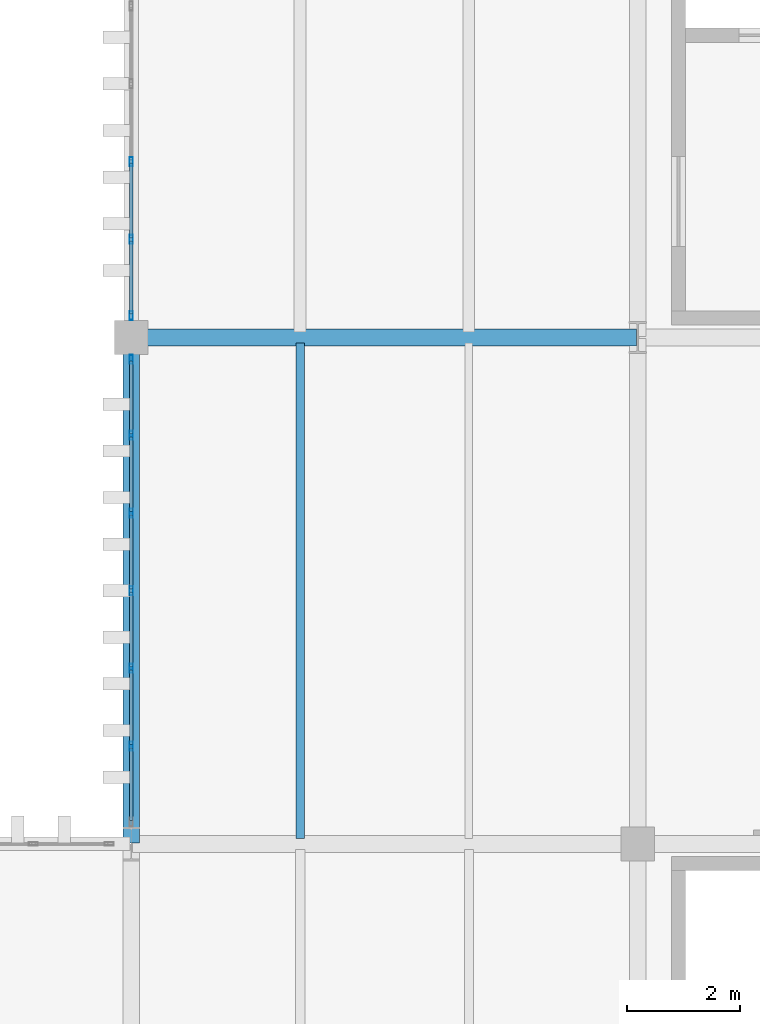
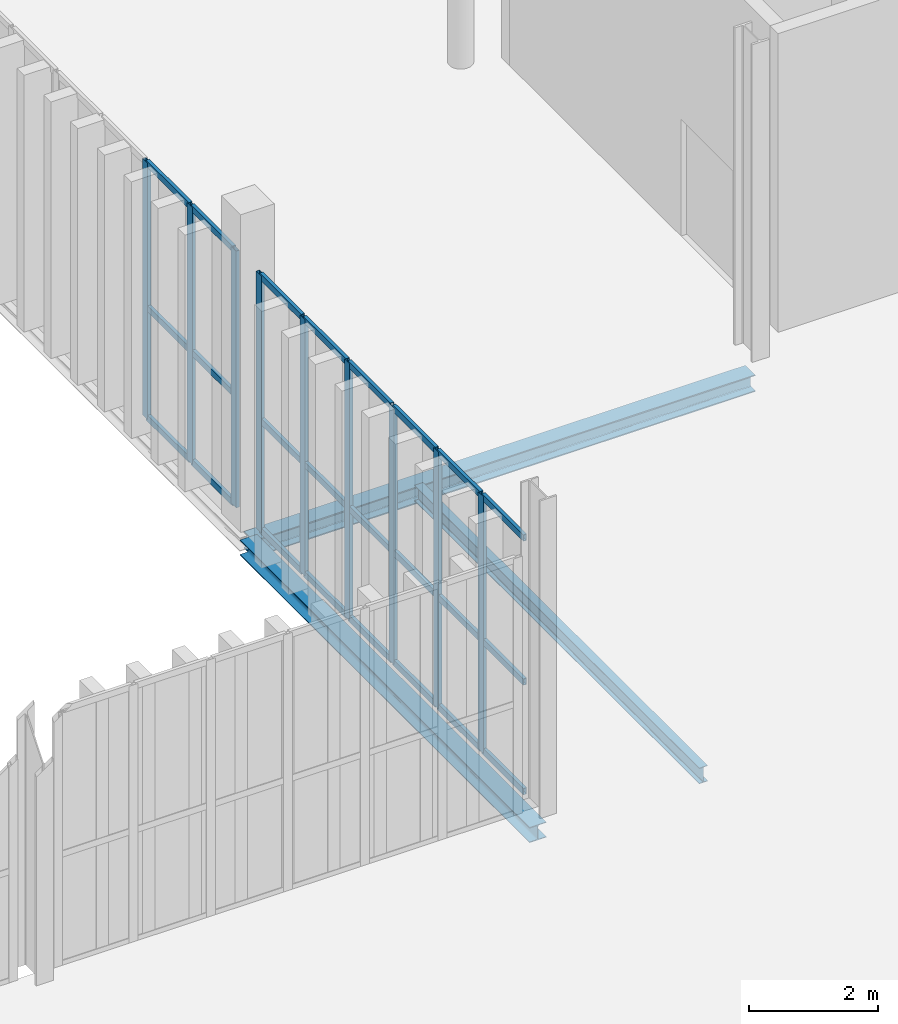
# One storey, part 143 of 237: 33 members, 3 beams, 2 elements without a shape of their own.
"""IFC4 building model written with IfcOpenShell, lengths in metres."""

from ifc_helpers import new_model, si_unit, direction, frame, origin, origin_2d, place, context, subcontext, project, spatial, hollow_rectangle, i_section, extrude, material, layer, layer_set, material_profile, profile_set, type_object, element, aggregate, save


model = new_model("IFC4")

# Units and contexts
model_context = context("Model", 3, precision=1e-05, world=origin(), true_north=direction((0.0, 1.0)))
body_context = subcontext(model_context, "Body", "Model", "MODEL_VIEW")
ifc_project = project(units=[si_unit("LENGTHUNIT", "METRE"), si_unit("AREAUNIT", "SQUARE_METRE"), si_unit("VOLUMEUNIT", "CUBIC_METRE"), si_unit("PLANEANGLEUNIT", "RADIAN"), si_unit("MASSUNIT", "GRAM", prefix="KILO")], contexts=[model_context])

# Site, building, storey
site_placement = place(None, origin())
site = spatial("IfcSite", under=ifc_project, at=site_placement, CompositionType="ELEMENT")
building_placement = place(site_placement, origin())
building = spatial("IfcBuilding", under=site, at=building_placement, Name="Barlavento Convention Centre", CompositionType="ELEMENT")
storey_placement = place(building_placement, frame((0.0, 0.0, 12.0)))
storey = spatial("IfcBuildingStorey", under=building, at=storey_placement, Name="L02", CompositionType="ELEMENT", Elevation=12.0)

# Curtain wall, members
ifc_material_1 = material(Name="Powder-coated aluminium and Low-E glass", Category="aluminium")
ifc_layer = layer(ifc_material_1, 0.195068359375)
ifc_layer_set = layer_set([ifc_layer], Name="ARC-CW-PATIO-A")
curtain_wall_type = type_object("IfcCurtainWallType", Name="ARC-CW-PATIO-A", PredefinedType="NOTDEFINED", material=ifc_layer_set)
curtain_wall_1_placement = place(storey_placement, origin())
curtain_wall_1 = element("IfcCurtainWall", 1, at=curtain_wall_1_placement, inside=storey, type_object=curtain_wall_type, Name="L02 unitised curtain wall CW11", PredefinedType="NOTDEFINED")
ifc_material_2 = material(Name="Powder-coated aluminium", Category="aluminium")
ifc_material_profile_1 = material_profile(ifc_material_2, hollow_rectangle(XDim=0.06005859375, YDim=0.159912109375, WallThickness=0.00390625, at=origin_2d()), Name="AL-MULL 60x160x4")
ifc_profile_set_1 = profile_set([ifc_material_profile_1], Name="Powder-coated aluminium")
member_type_1 = type_object("IfcMemberType", Name="ARC-CWM-60X160", PredefinedType="MULLION", material=ifc_profile_set_1)
member_1_placement = place(storey_placement, frame((171.0, 64.739990234375, 0.0), z_axis=(0.0, 0.0, 1.0), x_axis=(-1.0, 0.0, 0.0)))
member_1 = element("IfcMember", 2, at=member_1_placement, type_object=member_type_1, Name="CW11 mullion 2", PredefinedType="MULLION", context=body_context, shape_type="SweptSolid", body=[
    extrude(hollow_rectangle(XDim=0.06005859375, YDim=0.159912109375, WallThickness=0.00390625, at=origin_2d()), origin(), (0.0, 0.0, 1.0), 4.85009765625),
])
member_2_placement = place(storey_placement, frame((171.0, 66.1201171875, 0.0), z_axis=(0.0, 0.0, 1.0), x_axis=(-1.0, 0.0, 0.0)))
member_2 = element("IfcMember", 3, at=member_2_placement, type_object=member_type_1, Name="CW11 mullion 3", PredefinedType="MULLION", context=body_context, shape_type="SweptSolid", body=[
    extrude(hollow_rectangle(XDim=0.06005859375, YDim=0.159912109375, WallThickness=0.00390625, at=origin_2d()), origin(), (0.0, 0.0, 1.0), 4.85009765625),
])
member_3_placement = place(storey_placement, frame((171.0, 67.5, 0.0), z_axis=(0.0, 0.0, 1.0), x_axis=(-1.0, 0.0, 0.0)))
member_3 = element("IfcMember", 4, at=member_3_placement, type_object=member_type_1, Name="CW11 mullion 4", PredefinedType="MULLION", context=body_context, shape_type="SweptSolid", body=[
    extrude(hollow_rectangle(XDim=0.06005859375, YDim=0.159912109375, WallThickness=0.00390625, at=origin_2d()), origin(), (0.0, 0.0, 1.0), 4.85009765625),
])
member_4_placement = place(storey_placement, frame((171.0, 68.8798828125, 0.0), z_axis=(0.0, 0.0, 1.0), x_axis=(-1.0, 0.0, 0.0)))
member_4 = element("IfcMember", 5, at=member_4_placement, type_object=member_type_1, Name="CW11 mullion 5", PredefinedType="MULLION", context=body_context, shape_type="SweptSolid", body=[
    extrude(hollow_rectangle(XDim=0.06005859375, YDim=0.159912109375, WallThickness=0.00390625, at=origin_2d()), origin(), (0.0, 0.0, 1.0), 4.85009765625),
])
member_5_placement = place(storey_placement, frame((171.0, 70.260009765625, 0.0), z_axis=(0.0, 0.0, 1.0), x_axis=(-1.0, 0.0, 0.0)))
member_5 = element("IfcMember", 6, at=member_5_placement, type_object=member_type_1, Name="CW11 mullion 6", PredefinedType="MULLION", context=body_context, shape_type="SweptSolid", body=[
    extrude(hollow_rectangle(XDim=0.06005859375, YDim=0.159912109375, WallThickness=0.00390625, at=origin_2d()), origin(), (0.0, 0.0, 1.0), 4.85009765625),
])
member_6_placement = place(storey_placement, frame((171.0, 71.610107421875, 0.0), z_axis=(0.0, 0.0, 1.0), x_axis=(-1.0, 0.0, 0.0)))
member_6 = element("IfcMember", 7, at=member_6_placement, type_object=member_type_1, Name="CW11 mullion 7", PredefinedType="MULLION", context=body_context, shape_type="SweptSolid", body=[
    extrude(hollow_rectangle(XDim=0.06005859375, YDim=0.159912109375, WallThickness=0.00390625, at=origin_2d()), origin(), (0.0, 0.0, 1.0), 4.85009765625),
])

curtain_wall_2_placement = place(storey_placement, origin())
curtain_wall_2 = element("IfcCurtainWall", 8, at=curtain_wall_2_placement, inside=storey, type_object=curtain_wall_type, Name="L02 unitised curtain wall CW11", PredefinedType="NOTDEFINED")
member_7_placement = place(storey_placement, frame((171.0, 72.389892578125, 0.0), z_axis=(0.0, 0.0, 1.0), x_axis=(-1.0, 0.0, 0.0)))
member_7 = element("IfcMember", 9, at=member_7_placement, type_object=member_type_1, Name="CW11 mullion 1", PredefinedType="MULLION", context=body_context, shape_type="SweptSolid", body=[
    extrude(hollow_rectangle(XDim=0.06005859375, YDim=0.159912109375, WallThickness=0.00390625, at=origin_2d()), origin(), (0.0, 0.0, 1.0), 4.85009765625),
])
member_8_placement = place(storey_placement, frame((171.0, 73.742431640625, 0.0), z_axis=(0.0, 0.0, 1.0), x_axis=(-1.0, 0.0, 0.0)))
member_8 = element("IfcMember", 10, at=member_8_placement, type_object=member_type_1, Name="CW11 mullion 2", PredefinedType="MULLION", context=body_context, shape_type="SweptSolid", body=[
    extrude(hollow_rectangle(XDim=0.06005859375, YDim=0.159912109375, WallThickness=0.00390625, at=origin_2d()), origin(), (0.0, 0.0, 1.0), 4.85009765625),
])
member_9_placement = place(storey_placement, frame((171.0, 75.124755859375, 0.0), z_axis=(0.0, 0.0, 1.0), x_axis=(-1.0, 0.0, 0.0)))
member_9 = element("IfcMember", 11, at=member_9_placement, type_object=member_type_1, Name="CW11 mullion 3", PredefinedType="MULLION", context=body_context, shape_type="SweptSolid", body=[
    extrude(hollow_rectangle(XDim=0.06005859375, YDim=0.159912109375, WallThickness=0.00390625, at=origin_2d()), origin(), (0.0, 0.0, 1.0), 4.85009765625),
])

# Member
ifc_material_profile_2 = material_profile(ifc_material_2, hollow_rectangle(XDim=0.06005859375, YDim=0.1201171875, WallThickness=0.00390625, at=origin_2d()), Name="AL-TRAN 60x120x4")
ifc_profile_set_2 = profile_set([ifc_material_profile_2], Name="Powder-coated aluminium")
member_type_2 = type_object("IfcMemberType", Name="ARC-CWT-60X120", PredefinedType="USERDEFINED", material=ifc_profile_set_2)
member_10_placement = place(storey_placement, frame((171.0, 63.419921875, 0.030029296875), z_axis=(0.0, 1.0, 0.0), x_axis=(-1.0, 0.0, 0.0)))
member_10 = element("IfcMember", 12, at=member_10_placement, type_object=member_type_2, Name="CW11 transom 1.1", ObjectType="TRANSOM", PredefinedType="USERDEFINED", context=body_context, shape_type="SweptSolid", body=[
    extrude(hollow_rectangle(XDim=0.06005859375, YDim=0.1201171875, WallThickness=0.00390625, at=origin_2d()), origin(), (0.0, 0.0, 1.0), 1.2900390625),
])

member_11_placement = place(storey_placement, frame((171.0, 63.419921875, 2.10009765625), z_axis=(0.0, 1.0, 0.0), x_axis=(-1.0, 0.0, 0.0)))
member_11 = element("IfcMember", 13, at=member_11_placement, type_object=member_type_2, Name="CW11 transom 1.2", ObjectType="TRANSOM", PredefinedType="USERDEFINED", context=body_context, shape_type="SweptSolid", body=[
    extrude(hollow_rectangle(XDim=0.06005859375, YDim=0.1201171875, WallThickness=0.00390625, at=origin_2d()), origin(), (0.0, 0.0, 1.0), 1.2900390625),
])

member_12_placement = place(storey_placement, frame((171.0, 63.419921875, 4.820068359375), z_axis=(0.0, 1.0, 0.0), x_axis=(-1.0, 0.0, 0.0)))
member_12 = element("IfcMember", 14, at=member_12_placement, type_object=member_type_2, Name="CW11 transom 1.3", ObjectType="TRANSOM", PredefinedType="USERDEFINED", context=body_context, shape_type="SweptSolid", body=[
    extrude(hollow_rectangle(XDim=0.06005859375, YDim=0.1201171875, WallThickness=0.00390625, at=origin_2d()), origin(), (0.0, 0.0, 1.0), 1.2900390625),
])

member_13_placement = place(storey_placement, frame((171.0, 64.77001953125, 0.030029296875), z_axis=(0.0, 1.0, 0.0), x_axis=(-1.0, 0.0, 0.0)))
member_13 = element("IfcMember", 15, at=member_13_placement, type_object=member_type_2, Name="CW11 transom 2.1", ObjectType="TRANSOM", PredefinedType="USERDEFINED", context=body_context, shape_type="SweptSolid", body=[
    extrude(hollow_rectangle(XDim=0.06005859375, YDim=0.1201171875, WallThickness=0.00390625, at=origin_2d()), origin(), (0.0, 0.0, 1.0), 1.320068359375),
])

member_14_placement = place(storey_placement, frame((171.0, 64.77001953125, 2.10009765625), z_axis=(0.0, 1.0, 0.0), x_axis=(-1.0, 0.0, 0.0)))
member_14 = element("IfcMember", 16, at=member_14_placement, type_object=member_type_2, Name="CW11 transom 2.2", ObjectType="TRANSOM", PredefinedType="USERDEFINED", context=body_context, shape_type="SweptSolid", body=[
    extrude(hollow_rectangle(XDim=0.06005859375, YDim=0.1201171875, WallThickness=0.00390625, at=origin_2d()), origin(), (0.0, 0.0, 1.0), 1.320068359375),
])

member_15_placement = place(storey_placement, frame((171.0, 64.77001953125, 4.820068359375), z_axis=(0.0, 1.0, 0.0), x_axis=(-1.0, 0.0, 0.0)))
member_15 = element("IfcMember", 17, at=member_15_placement, type_object=member_type_2, Name="CW11 transom 2.3", ObjectType="TRANSOM", PredefinedType="USERDEFINED", context=body_context, shape_type="SweptSolid", body=[
    extrude(hollow_rectangle(XDim=0.06005859375, YDim=0.1201171875, WallThickness=0.00390625, at=origin_2d()), origin(), (0.0, 0.0, 1.0), 1.320068359375),
])

member_16_placement = place(storey_placement, frame((171.0, 66.14990234375, 0.030029296875), z_axis=(0.0, 1.0, 0.0), x_axis=(-1.0, 0.0, 0.0)))
member_16 = element("IfcMember", 18, at=member_16_placement, type_object=member_type_2, Name="CW11 transom 3.1", ObjectType="TRANSOM", PredefinedType="USERDEFINED", context=body_context, shape_type="SweptSolid", body=[
    extrude(hollow_rectangle(XDim=0.06005859375, YDim=0.1201171875, WallThickness=0.00390625, at=origin_2d()), origin(), (0.0, 0.0, 1.0), 1.320068359375),
])

member_17_placement = place(storey_placement, frame((171.0, 66.14990234375, 2.10009765625), z_axis=(0.0, 1.0, 0.0), x_axis=(-1.0, 0.0, 0.0)))
member_17 = element("IfcMember", 19, at=member_17_placement, type_object=member_type_2, Name="CW11 transom 3.2", ObjectType="TRANSOM", PredefinedType="USERDEFINED", context=body_context, shape_type="SweptSolid", body=[
    extrude(hollow_rectangle(XDim=0.06005859375, YDim=0.1201171875, WallThickness=0.00390625, at=origin_2d()), origin(), (0.0, 0.0, 1.0), 1.320068359375),
])

member_18_placement = place(storey_placement, frame((171.0, 66.14990234375, 4.820068359375), z_axis=(0.0, 1.0, 0.0), x_axis=(-1.0, 0.0, 0.0)))
member_18 = element("IfcMember", 20, at=member_18_placement, type_object=member_type_2, Name="CW11 transom 3.3", ObjectType="TRANSOM", PredefinedType="USERDEFINED", context=body_context, shape_type="SweptSolid", body=[
    extrude(hollow_rectangle(XDim=0.06005859375, YDim=0.1201171875, WallThickness=0.00390625, at=origin_2d()), origin(), (0.0, 0.0, 1.0), 1.320068359375),
])

member_19_placement = place(storey_placement, frame((171.0, 67.530029296875, 0.030029296875), z_axis=(0.0, 1.0, 0.0), x_axis=(-1.0, 0.0, 0.0)))
member_19 = element("IfcMember", 21, at=member_19_placement, type_object=member_type_2, Name="CW11 transom 4.1", ObjectType="TRANSOM", PredefinedType="USERDEFINED", context=body_context, shape_type="SweptSolid", body=[
    extrude(hollow_rectangle(XDim=0.06005859375, YDim=0.1201171875, WallThickness=0.00390625, at=origin_2d()), origin(), (0.0, 0.0, 1.0), 1.320068359375),
])

member_20_placement = place(storey_placement, frame((171.0, 67.530029296875, 2.10009765625), z_axis=(0.0, 1.0, 0.0), x_axis=(-1.0, 0.0, 0.0)))
member_20 = element("IfcMember", 22, at=member_20_placement, type_object=member_type_2, Name="CW11 transom 4.2", ObjectType="TRANSOM", PredefinedType="USERDEFINED", context=body_context, shape_type="SweptSolid", body=[
    extrude(hollow_rectangle(XDim=0.06005859375, YDim=0.1201171875, WallThickness=0.00390625, at=origin_2d()), origin(), (0.0, 0.0, 1.0), 1.320068359375),
])

member_21_placement = place(storey_placement, frame((171.0, 67.530029296875, 4.820068359375), z_axis=(0.0, 1.0, 0.0), x_axis=(-1.0, 0.0, 0.0)))
member_21 = element("IfcMember", 23, at=member_21_placement, type_object=member_type_2, Name="CW11 transom 4.3", ObjectType="TRANSOM", PredefinedType="USERDEFINED", context=body_context, shape_type="SweptSolid", body=[
    extrude(hollow_rectangle(XDim=0.06005859375, YDim=0.1201171875, WallThickness=0.00390625, at=origin_2d()), origin(), (0.0, 0.0, 1.0), 1.320068359375),
])

member_22_placement = place(storey_placement, frame((171.0, 68.909912109375, 0.030029296875), z_axis=(0.0, 1.0, 0.0), x_axis=(-1.0, 0.0, 0.0)))
member_22 = element("IfcMember", 24, at=member_22_placement, type_object=member_type_2, Name="CW11 transom 5.1", ObjectType="TRANSOM", PredefinedType="USERDEFINED", context=body_context, shape_type="SweptSolid", body=[
    extrude(hollow_rectangle(XDim=0.06005859375, YDim=0.1201171875, WallThickness=0.00390625, at=origin_2d()), origin(), (0.0, 0.0, 1.0), 1.320068359375),
])

member_23_placement = place(storey_placement, frame((171.0, 68.909912109375, 2.10009765625), z_axis=(0.0, 1.0, 0.0), x_axis=(-1.0, 0.0, 0.0)))
member_23 = element("IfcMember", 25, at=member_23_placement, type_object=member_type_2, Name="CW11 transom 5.2", ObjectType="TRANSOM", PredefinedType="USERDEFINED", context=body_context, shape_type="SweptSolid", body=[
    extrude(hollow_rectangle(XDim=0.06005859375, YDim=0.1201171875, WallThickness=0.00390625, at=origin_2d()), origin(), (0.0, 0.0, 1.0), 1.320068359375),
])

member_24_placement = place(storey_placement, frame((171.0, 68.909912109375, 4.820068359375), z_axis=(0.0, 1.0, 0.0), x_axis=(-1.0, 0.0, 0.0)))
member_24 = element("IfcMember", 26, at=member_24_placement, type_object=member_type_2, Name="CW11 transom 5.3", ObjectType="TRANSOM", PredefinedType="USERDEFINED", context=body_context, shape_type="SweptSolid", body=[
    extrude(hollow_rectangle(XDim=0.06005859375, YDim=0.1201171875, WallThickness=0.00390625, at=origin_2d()), origin(), (0.0, 0.0, 1.0), 1.320068359375),
])

member_25_placement = place(storey_placement, frame((171.0, 70.2900390625, 0.030029296875), z_axis=(0.0, 1.0, 0.0), x_axis=(-1.0, 0.0, 0.0)))
member_25 = element("IfcMember", 27, at=member_25_placement, type_object=member_type_2, Name="CW11 transom 6.1", ObjectType="TRANSOM", PredefinedType="USERDEFINED", context=body_context, shape_type="SweptSolid", body=[
    extrude(hollow_rectangle(XDim=0.06005859375, YDim=0.1201171875, WallThickness=0.00390625, at=origin_2d()), origin(), (0.0, 0.0, 1.0), 1.2900390625),
])

member_26_placement = place(storey_placement, frame((171.0, 70.2900390625, 2.10009765625), z_axis=(0.0, 1.0, 0.0), x_axis=(-1.0, 0.0, 0.0)))
member_26 = element("IfcMember", 28, at=member_26_placement, type_object=member_type_2, Name="CW11 transom 6.2", ObjectType="TRANSOM", PredefinedType="USERDEFINED", context=body_context, shape_type="SweptSolid", body=[
    extrude(hollow_rectangle(XDim=0.06005859375, YDim=0.1201171875, WallThickness=0.00390625, at=origin_2d()), origin(), (0.0, 0.0, 1.0), 1.2900390625),
])

member_27_placement = place(storey_placement, frame((171.0, 70.2900390625, 4.820068359375), z_axis=(0.0, 1.0, 0.0), x_axis=(-1.0, 0.0, 0.0)))
member_27 = element("IfcMember", 29, at=member_27_placement, type_object=member_type_2, Name="CW11 transom 6.3", ObjectType="TRANSOM", PredefinedType="USERDEFINED", context=body_context, shape_type="SweptSolid", body=[
    extrude(hollow_rectangle(XDim=0.06005859375, YDim=0.1201171875, WallThickness=0.00390625, at=origin_2d()), origin(), (0.0, 0.0, 1.0), 1.2900390625),
])

aggregate(curtain_wall_1, [member_1, member_2, member_3, member_4, member_5, member_6, member_10, member_11, member_12, member_13, member_14, member_15, member_16, member_17, member_18, member_19, member_20, member_21, member_22, member_23, member_24, member_25, member_26, member_27])

member_28_placement = place(storey_placement, frame((171.0, 72.419921875, 0.030029296875), z_axis=(0.0, 1.0, 0.0), x_axis=(-1.0, 0.0, 0.0)))
member_28 = element("IfcMember", 30, at=member_28_placement, type_object=member_type_2, Name="CW11 transom 1.1", ObjectType="TRANSOM", PredefinedType="USERDEFINED", context=body_context, shape_type="SweptSolid", body=[
    extrude(hollow_rectangle(XDim=0.06005859375, YDim=0.1201171875, WallThickness=0.00390625, at=origin_2d()), origin(), (0.0, 0.0, 1.0), 1.29248046875),
])

member_29_placement = place(storey_placement, frame((171.0, 72.419921875, 2.10009765625), z_axis=(0.0, 1.0, 0.0), x_axis=(-1.0, 0.0, 0.0)))
member_29 = element("IfcMember", 31, at=member_29_placement, type_object=member_type_2, Name="CW11 transom 1.2", ObjectType="TRANSOM", PredefinedType="USERDEFINED", context=body_context, shape_type="SweptSolid", body=[
    extrude(hollow_rectangle(XDim=0.06005859375, YDim=0.1201171875, WallThickness=0.00390625, at=origin_2d()), origin(), (0.0, 0.0, 1.0), 1.29248046875),
])

member_30_placement = place(storey_placement, frame((171.0, 72.419921875, 4.820068359375), z_axis=(0.0, 1.0, 0.0), x_axis=(-1.0, 0.0, 0.0)))
member_30 = element("IfcMember", 32, at=member_30_placement, type_object=member_type_2, Name="CW11 transom 1.3", ObjectType="TRANSOM", PredefinedType="USERDEFINED", context=body_context, shape_type="SweptSolid", body=[
    extrude(hollow_rectangle(XDim=0.06005859375, YDim=0.1201171875, WallThickness=0.00390625, at=origin_2d()), origin(), (0.0, 0.0, 1.0), 1.29248046875),
])

member_31_placement = place(storey_placement, frame((171.0, 73.772216796875, 0.030029296875), z_axis=(0.0, 1.0, 0.0), x_axis=(-1.0, 0.0, 0.0)))
member_31 = element("IfcMember", 33, at=member_31_placement, type_object=member_type_2, Name="CW11 transom 2.1", ObjectType="TRANSOM", PredefinedType="USERDEFINED", context=body_context, shape_type="SweptSolid", body=[
    extrude(hollow_rectangle(XDim=0.06005859375, YDim=0.1201171875, WallThickness=0.00390625, at=origin_2d()), origin(), (0.0, 0.0, 1.0), 1.322509765625),
])

member_32_placement = place(storey_placement, frame((171.0, 73.772216796875, 2.10009765625), z_axis=(0.0, 1.0, 0.0), x_axis=(-1.0, 0.0, 0.0)))
member_32 = element("IfcMember", 34, at=member_32_placement, type_object=member_type_2, Name="CW11 transom 2.2", ObjectType="TRANSOM", PredefinedType="USERDEFINED", context=body_context, shape_type="SweptSolid", body=[
    extrude(hollow_rectangle(XDim=0.06005859375, YDim=0.1201171875, WallThickness=0.00390625, at=origin_2d()), origin(), (0.0, 0.0, 1.0), 1.322509765625),
])

member_33_placement = place(storey_placement, frame((171.0, 73.772216796875, 4.820068359375), z_axis=(0.0, 1.0, 0.0), x_axis=(-1.0, 0.0, 0.0)))
member_33 = element("IfcMember", 35, at=member_33_placement, type_object=member_type_2, Name="CW11 transom 2.3", ObjectType="TRANSOM", PredefinedType="USERDEFINED", context=body_context, shape_type="SweptSolid", body=[
    extrude(hollow_rectangle(XDim=0.06005859375, YDim=0.1201171875, WallThickness=0.00390625, at=origin_2d()), origin(), (0.0, 0.0, 1.0), 1.322509765625),
])

aggregate(curtain_wall_2, [member_7, member_8, member_9, member_28, member_29, member_30, member_31, member_32, member_33])

# Beams
ifc_material_3 = material(Name="Steel S355", Category="steel")
ifc_material_profile_3 = material_profile(ifc_material_3, i_section(OverallWidth=0.14990234375, OverallDepth=0.300048828125, WebThickness=0.007080078125, FlangeThickness=0.0107421875, FilletRadius=0.014892578125, at=origin_2d()), Name="IPE 300")
ifc_profile_set_3 = profile_set([ifc_material_profile_3], Name="Steel S355")
beam_type_1 = type_object("IfcBeamType", Name="STR-BM-JST-IPE300", PredefinedType="JOIST", material=ifc_profile_set_3)
beam_1_placement = place(storey_placement, frame((174.0, 63.094970703125, -0.510009765625), z_axis=(0.0, 1.0, 0.0), x_axis=(-1.0, 0.0, 0.0)))
element("IfcBeam", 36, at=beam_1_placement, inside=storey, type_object=beam_type_1, Name="L02 composite floor joist SJ07", PredefinedType="JOIST", context=body_context, shape_type="SweptSolid", body=[
    extrude(i_section(OverallWidth=0.14990234375, OverallDepth=0.300048828125, WebThickness=0.007080078125, FlangeThickness=0.0107421875, FilletRadius=0.014892578125, at=origin_2d()), origin(), (0.0, 0.0, 1.0), 8.81005859375),
])
ifc_material_profile_4 = material_profile(ifc_material_3, i_section(OverallWidth=0.300048828125, OverallDepth=0.320068359375, WebThickness=0.011474609375, FlangeThickness=0.0205078125, FilletRadius=0.027099609375, at=origin_2d()), Name="HEB 320")
ifc_profile_set_4 = profile_set([ifc_material_profile_4], Name="Steel S355")
beam_type_2 = type_object("IfcBeamType", Name="STR-BM-PRI-HEB320", PredefinedType="BEAM", material=ifc_profile_set_4)
beam_2_placement = place(storey_placement, frame((171.02001953125, 72.0, -0.52001953125), z_axis=(1.0, 0.0, 0.0), x_axis=(0.0, 1.0, 0.0)))
element("IfcBeam", 37, at=beam_2_placement, inside=storey, type_object=beam_type_2, Name="L02 primary girder BG13", PredefinedType="BEAM", context=body_context, shape_type="SweptSolid", body=[
    extrude(i_section(OverallWidth=0.300048828125, OverallDepth=0.320068359375, WebThickness=0.011474609375, FlangeThickness=0.0205078125, FilletRadius=0.027099609375, at=origin_2d()), origin(), (0.0, 0.0, 1.0), 8.9599609375),
])
ifc_material_profile_5 = material_profile(ifc_material_3, i_section(OverallWidth=0.300048828125, OverallDepth=0.2900390625, WebThickness=0.008544921875, FlangeThickness=0.013916015625, FilletRadius=0.027099609375, at=origin_2d()), Name="HEA 300")
ifc_profile_set_5 = profile_set([ifc_material_profile_5], Name="Steel S355")
beam_type_3 = type_object("IfcBeamType", Name="STR-BM-SPN-HEA300", PredefinedType="SPANDREL", material=ifc_profile_set_5)
beam_3_placement = place(storey_placement, frame((171.0, 63.02001953125, -0.5048828125), z_axis=(0.0, 1.0, 0.0), x_axis=(-1.0, 0.0, 0.0)))
element("IfcBeam", 38, at=beam_3_placement, inside=storey, type_object=beam_type_3, Name="L02 grid girder SP02", PredefinedType="SPANDREL", context=body_context, shape_type="SweptSolid", body=[
    extrude(i_section(OverallWidth=0.300048828125, OverallDepth=0.2900390625, WebThickness=0.008544921875, FlangeThickness=0.013916015625, FilletRadius=0.027099609375, at=origin_2d()), origin(), (0.0, 0.0, 1.0), 8.9599609375),
])

save(model, "model.ifc")
